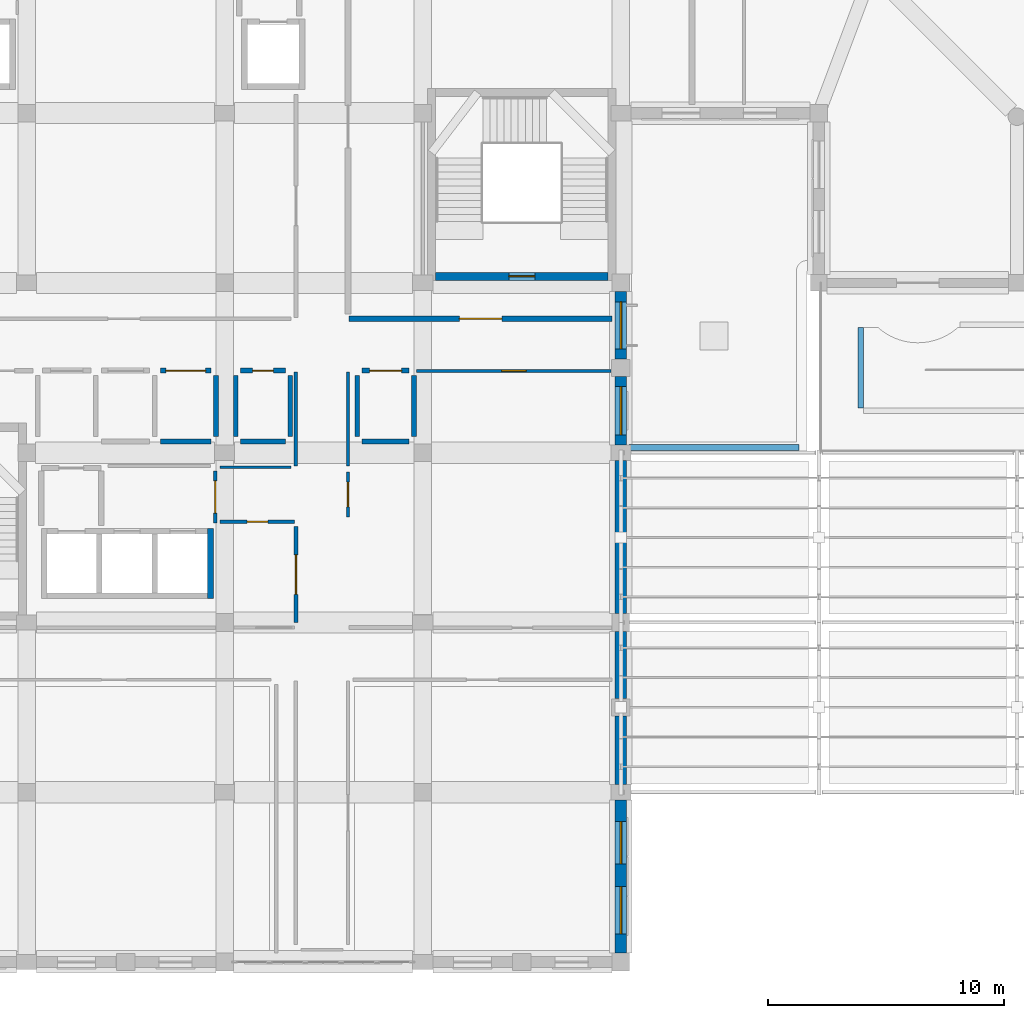
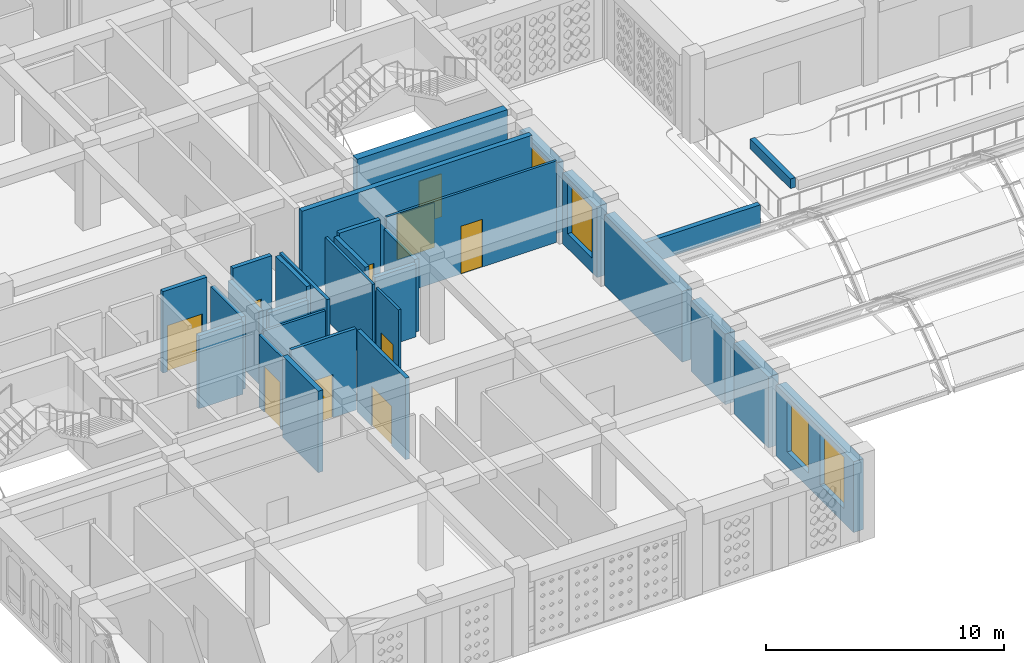
# One storey, part 54 of 100: 30 walls, 10 doors, 4 windows, 14 openings.
"""IFC4 building model written with IfcOpenShell, lengths in metres."""

from ifc_helpers import new_model, si_unit, derived_unit, direction, frame, frame_2d, origin, place, context, subcontext, project, spatial, rectangle, extrude, material, layer, layer_set, type_object, element, fill, save


model = new_model("IFC4")

# Units and contexts
model_context = context("Model", 3, precision=1e-05, world=origin(), true_north=direction((0.0, 1.0)))
body_context = subcontext(model_context, "Body", "Model", "MODEL_VIEW")
ifc_project = project(units=[si_unit("LENGTHUNIT", "METRE"), si_unit("AREAUNIT", "SQUARE_METRE"), si_unit("VOLUMEUNIT", "CUBIC_METRE"), si_unit("PLANEANGLEUNIT", "RADIAN"), si_unit("MASSUNIT", "GRAM", prefix="KILO"), derived_unit("THERMALTRANSMITTANCEUNIT", [(si_unit("POWERUNIT", "WATT"), 1), (si_unit("LENGTHUNIT", "METRE"), -2), (si_unit("THERMODYNAMICTEMPERATUREUNIT", "KELVIN"), -1)])], contexts=[model_context])

# Site, building, storey
site_placement = place(None, origin())
site = spatial("IfcSite", under=ifc_project, at=site_placement, CompositionType="ELEMENT")
building_placement = place(site_placement, origin())
building = spatial("IfcBuilding", under=site, at=building_placement, Name="Veybourne Emporium", CompositionType="ELEMENT")
storey_placement = place(building_placement, frame((0.0, 0.0, 14.39990234375)))
storey = spatial("IfcBuildingStorey", under=building, at=storey_placement, Name="L03", CompositionType="ELEMENT", Elevation=14.39990234375)

# Wall, openings, windows
ifc_material_1 = material(Name="Portland Limestone Ashlar", Category="masonry")
ifc_layer_1 = layer(ifc_material_1, 0.47998046875)
ifc_layer_set_1 = layer_set([ifc_layer_1], Name="Portland Limestone Ashlar")
wall_type_1 = type_object("IfcWallType", Name="ExtWall_EW-01", PredefinedType="SOLIDWALL", material=ifc_layer_set_1)
wall_1_placement = place(storey_placement, frame((50.39990234375, 6.875, 0.0), z_axis=(0.0, 0.0, 1.0), x_axis=(0.0, -1.0, 0.0)))
wall_1 = element("IfcWall", 1, at=wall_1_placement, inside=storey, type_object=wall_type_1, Name="L03 Portland stone external wall 026", PredefinedType="SOLIDWALL", context=body_context, shape_type="SweptSolid", body=[
    extrude(rectangle(XDim=6.5, YDim=0.47998046875, at=frame_2d((3.25, 0.0))), origin(), (0.0, 0.0, 1.0), 3.630126953125),
])
opening_1_placement = place(wall_1_placement, frame((0.919921875, 0.0, 0.75)))
opening_1 = element("IfcOpeningElement", 2, at=opening_1_placement, cuts=wall_1, Name="Opening W-36", PredefinedType="OPENING", context=body_context, shape_type="SweptSolid", body=[
    extrude(rectangle(XDim=1.800048828125, YDim=2.6201171875, at=frame_2d((0.89990234375, 1.31005859375))), frame((0.0, 0.260009765625, 0.0), z_axis=(0.0, -1.0, 0.0), x_axis=(1.0, 0.0, 0.0)), (0.0, 0.0, 1.0), 0.52001953125),
])
opening_2_placement = place(wall_1_placement, frame((3.679931640625, 0.0, 0.75)))
opening_2 = element("IfcOpeningElement", 3, at=opening_2_placement, cuts=wall_1, Name="Opening W-37", PredefinedType="OPENING", context=body_context, shape_type="SweptSolid", body=[
    extrude(rectangle(XDim=2.0, YDim=2.6201171875, at=frame_2d((1.0, 1.31005859375))), frame((0.0, 0.260009765625, 0.0), z_axis=(0.0, -1.0, 0.0), x_axis=(1.0, 0.0, 0.0)), (0.0, 0.0, 1.0), 0.52001953125),
])
ifc_material_2 = material(Name="Low-E Triple Glazing", Category="glass")
window_type_1 = type_object("IfcWindowType", Name="Win_W-36", PartitioningType="DOUBLE_PANEL_VERTICAL", PredefinedType="WINDOW", material=ifc_material_2)
window_1_placement = place(opening_1_placement, origin())
window_1 = element("IfcWindow", 4, at=window_1_placement, inside=storey, type_object=window_type_1, Name="L03 tripartite bronze casement window W-36 (26.1)", OverallHeight=2.6201171875, OverallWidth=1.800048828125, PartitioningType="DOUBLE_PANEL_VERTICAL", PredefinedType="WINDOW", context=body_context, shape_type="SweptSolid", body=[
    extrude(rectangle(XDim=1.800048828125, YDim=2.6201171875, at=frame_2d((0.89990234375, 1.31005859375))), frame((0.0, 0.030029296875, 0.0), z_axis=(0.0, -1.0, 0.0), x_axis=(1.0, 0.0, 0.0)), (0.0, 0.0, 1.0), 0.06005859375),
])
fill(opening_1, window_1)
window_type_2 = type_object("IfcWindowType", Name="Win_W-37", PartitioningType="TRIPLE_PANEL_VERTICAL", PredefinedType="WINDOW", material=ifc_material_2)
window_2_placement = place(opening_2_placement, origin())
window_2 = element("IfcWindow", 5, at=window_2_placement, inside=storey, type_object=window_type_2, Name="L03 tripartite bronze casement window W-37 (26.2)", OverallHeight=2.6201171875, OverallWidth=2.0, PartitioningType="TRIPLE_PANEL_VERTICAL", PredefinedType="WINDOW", context=body_context, shape_type="SweptSolid", body=[
    extrude(rectangle(XDim=2.0, YDim=2.6201171875, at=frame_2d((1.0, 1.31005859375))), frame((0.0, 0.030029296875, 0.0), z_axis=(0.0, -1.0, 0.0), x_axis=(1.0, 0.0, 0.0)), (0.0, 0.0, 1.0), 0.06005859375),
])
fill(opening_2, window_2)

# Walls
wall_2_placement = place(storey_placement, frame((50.39990234375, 14.02490234375, 0.0), z_axis=(0.0, 0.0, 1.0), x_axis=(0.0, -1.0, 0.0)))
element("IfcWall", 6, at=wall_2_placement, inside=storey, type_object=wall_type_1, Name="L03 Portland stone external wall 027A", PredefinedType="SOLIDWALL", context=body_context, shape_type="SweptSolid", body=[
    extrude(rectangle(XDim=2.85498046875, YDim=0.47998046875, at=frame_2d((1.427490234375, 0.0))), origin(), (0.0, 0.0, 1.0), 3.630126953125),
])
wall_3_placement = place(storey_placement, frame((50.39990234375, 10.429931640625, 0.0), z_axis=(0.0, 0.0, 1.0), x_axis=(0.0, -1.0, 0.0)))
element("IfcWall", 7, at=wall_3_placement, inside=storey, type_object=wall_type_1, Name="L03 Portland stone external wall 027B", PredefinedType="SOLIDWALL", context=body_context, shape_type="SweptSolid", body=[
    extrude(rectangle(XDim=2.905029296875, YDim=0.47998046875, at=frame_2d((1.45263671875, 0.0))), origin(), (0.0, 0.0, 1.0), 3.630126953125),
])
wall_4_placement = place(storey_placement, frame((50.39990234375, 21.27490234375, 0.0), z_axis=(0.0, 0.0, 1.0), x_axis=(0.0, -1.0, 0.0)))
element("IfcWall", 8, at=wall_4_placement, inside=storey, type_object=wall_type_1, Name="L03 Portland stone external wall 028", PredefinedType="SOLIDWALL", context=body_context, shape_type="SweptSolid", body=[
    extrude(rectangle(XDim=6.5, YDim=0.47998046875, at=frame_2d((3.25, 0.0))), origin(), (0.0, 0.0, 1.0), 3.630126953125),
])

# Wall, opening, window
wall_5_placement = place(storey_placement, frame((50.39990234375, 28.425048828125, 0.0), z_axis=(0.0, 0.0, 1.0), x_axis=(0.0, -1.0, 0.0)))
wall_5 = element("IfcWall", 9, at=wall_5_placement, inside=storey, type_object=wall_type_1, Name="L03 Portland stone external wall 029A", PredefinedType="SOLIDWALL", context=body_context, shape_type="SweptSolid", body=[
    extrude(rectangle(XDim=2.85498046875, YDim=0.47998046875, at=frame_2d((1.427490234375, 0.0))), origin(), (0.0, 0.0, 1.0), 3.630126953125),
])
opening_3_placement = place(wall_5_placement, frame((0.427490234375, 0.0, 0.75)))
opening_3 = element("IfcOpeningElement", 10, at=opening_3_placement, cuts=wall_5, Name="Opening W-38", PredefinedType="OPENING", context=body_context, shape_type="SweptSolid", body=[
    extrude(rectangle(XDim=2.0, YDim=2.6201171875, at=frame_2d((1.0, 1.31005859375))), frame((0.0, 0.260009765625, 0.0), z_axis=(0.0, -1.0, 0.0), x_axis=(1.0, 0.0, 0.0)), (0.0, 0.0, 1.0), 0.52001953125),
])
window_type_3 = type_object("IfcWindowType", Name="Win_W-38", PartitioningType="TRIPLE_PANEL_VERTICAL", PredefinedType="WINDOW", material=ifc_material_2)
window_3_placement = place(opening_3_placement, origin())
window_3 = element("IfcWindow", 11, at=window_3_placement, inside=storey, type_object=window_type_3, Name="L03 tripartite bronze casement window W-38 (29A)", OverallHeight=2.6201171875, OverallWidth=2.0, PartitioningType="TRIPLE_PANEL_VERTICAL", PredefinedType="WINDOW", context=body_context, shape_type="SweptSolid", body=[
    extrude(rectangle(XDim=2.0, YDim=2.6201171875, at=frame_2d((1.0, 1.31005859375))), frame((0.0, 0.030029296875, 0.0), z_axis=(0.0, -1.0, 0.0), x_axis=(1.0, 0.0, 0.0)), (0.0, 0.0, 1.0), 0.06005859375),
])
fill(opening_3, window_3)

wall_6_placement = place(storey_placement, frame((50.39990234375, 24.830078125, 0.0), z_axis=(0.0, 0.0, 1.0), x_axis=(0.0, -1.0, 0.0)))
wall_6 = element("IfcWall", 12, at=wall_6_placement, inside=storey, type_object=wall_type_1, Name="L03 Portland stone external wall 029B", PredefinedType="SOLIDWALL", context=body_context, shape_type="SweptSolid", body=[
    extrude(rectangle(XDim=2.905029296875, YDim=0.47998046875, at=frame_2d((1.45263671875, 0.0))), origin(), (0.0, 0.0, 1.0), 3.630126953125),
])
opening_4_placement = place(wall_6_placement, frame((0.427490234375, 0.0, 0.75)))
opening_4 = element("IfcOpeningElement", 13, at=opening_4_placement, cuts=wall_6, Name="Opening W-39", PredefinedType="OPENING", context=body_context, shape_type="SweptSolid", body=[
    extrude(rectangle(XDim=2.050048828125, YDim=2.6201171875, at=frame_2d((1.02490234375, 1.31005859375))), frame((0.0, 0.260009765625, 0.0), z_axis=(0.0, -1.0, 0.0), x_axis=(1.0, 0.0, 0.0)), (0.0, 0.0, 1.0), 0.52001953125),
])
window_type_4 = type_object("IfcWindowType", Name="Win_W-39", PartitioningType="TRIPLE_PANEL_VERTICAL", PredefinedType="WINDOW", material=ifc_material_2)
window_4_placement = place(opening_4_placement, origin())
window_4 = element("IfcWindow", 14, at=window_4_placement, inside=storey, type_object=window_type_4, Name="L03 tripartite bronze casement window W-39 (29B)", OverallHeight=2.6201171875, OverallWidth=2.050048828125, PartitioningType="TRIPLE_PANEL_VERTICAL", PredefinedType="WINDOW", context=body_context, shape_type="SweptSolid", body=[
    extrude(rectangle(XDim=2.050048828125, YDim=2.6201171875, at=frame_2d((1.02490234375, 1.31005859375))), frame((0.0, 0.030029296875, 0.0), z_axis=(0.0, -1.0, 0.0), x_axis=(1.0, 0.0, 0.0)), (0.0, 0.0, 1.0), 0.06005859375),
])
fill(opening_4, window_4)

# Walls
ifc_material_3 = material(Name="Precast concrete C40/50", Category="concrete")
ifc_layer_2 = layer(ifc_material_3, 0.239990234375)
ifc_layer_set_2 = layer_set([ifc_layer_2], Name="Precast concrete C40/50")
wall_type_2 = type_object("IfcWallType", Name="ExtWall_PW-02", PredefinedType="PARAPET", material=ifc_layer_set_2)
wall_7_placement = place(storey_placement, frame((60.570068359375, 23.5, 0.0), z_axis=(0.0, 0.0, 1.0), x_axis=(0.0, 1.0, 0.0)))
element("IfcWall", 15, at=wall_7_placement, inside=storey, type_object=wall_type_2, Name="L03 planted roof-garden kerb 005", PredefinedType="PARAPET", context=body_context, shape_type="SweptSolid", body=[
    extrude(rectangle(XDim=3.39990234375, YDim=0.239990234375, at=frame_2d((1.699951171875, 0.0))), origin(), (0.0, 0.0, 1.0), 0.5),
])
wall_8_placement = place(storey_placement, frame((57.949951171875, 21.820068359375, 0.0), z_axis=(0.0, 0.0, 1.0), x_axis=(-1.0, 0.0, 0.0)))
element("IfcWall", 16, at=wall_8_placement, inside=storey, type_object=wall_type_2, Name="L03 roof parapet wall 001", PredefinedType="PARAPET", context=body_context, shape_type="SweptSolid", body=[
    extrude(rectangle(XDim=7.199951171875, YDim=0.239990234375, at=frame_2d((3.60009765625, 0.0))), origin(), (0.0, 0.0, 1.0), 1.150146484375),
])

# Wall, opening, door
ifc_material_4 = material(Name="Concrete C40/50", Category="concrete")
ifc_layer_3 = layer(ifc_material_4, 0.35009765625)
ifc_layer_set_3 = layer_set([ifc_layer_3], Name="Concrete C40/50")
wall_type_3 = type_object("IfcWallType", Name="IntWall_CW-02", PredefinedType="SHEAR", material=ifc_layer_set_3)
wall_9_placement = place(storey_placement, frame((49.85009765625, 29.074951171875, 0.0), z_axis=(0.0, 0.0, 1.0), x_axis=(-1.0, 0.0, 0.0)))
wall_9 = element("IfcWall", 17, at=wall_9_placement, inside=storey, type_object=wall_type_3, Name="Core stair ST-05 south shear wall (L03)", PredefinedType="SHEAR", context=body_context, shape_type="SweptSolid", body=[
    extrude(rectangle(XDim=7.300048828125, YDim=0.35009765625, at=frame_2d((3.64990234375, 0.0))), origin(), (0.0, 0.0, 1.0), 4.5),
])
opening_5_placement = place(wall_9_placement, frame((3.10009765625, 0.0, 0.0)))
opening_5 = element("IfcOpeningElement", 18, at=opening_5_placement, cuts=wall_9, Name="Opening FD-01", PredefinedType="OPENING", context=body_context, shape_type="SweptSolid", body=[
    extrude(rectangle(XDim=1.10009765625, YDim=2.199951171875, at=frame_2d((0.550048828125, 1.10009765625))), frame((0.0, 0.195068359375, 0.0), z_axis=(0.0, -1.0, 0.0), x_axis=(1.0, 0.0, 0.0)), (0.0, 0.0, 1.0), 0.39013671875),
])
ifc_material_5 = material(Name="Patinated Architectural Bronze", Category="bronze")
door_type_1 = type_object("IfcDoorType", Name="FireDoor_FD-01", OperationType="NOTDEFINED", PredefinedType="DOOR", material=ifc_material_5)
door_1_placement = place(opening_5_placement, origin())
door_1 = element("IfcDoor", 19, at=door_1_placement, inside=storey, type_object=door_type_1, Name="Stair ST-05 fire door (L03)", OperationType="SINGLE_SWING_LEFT", OverallHeight=2.199951171875, OverallWidth=1.10009765625, PredefinedType="DOOR", context=body_context, shape_type="SweptSolid", body=[
    extrude(rectangle(XDim=1.10009765625, YDim=2.199951171875, at=frame_2d((0.550048828125, 1.10009765625))), frame((0.0, 0.02490234375, 0.0), z_axis=(0.0, -1.0, 0.0), x_axis=(1.0, 0.0, 0.0)), (0.0, 0.0, 1.0), 0.050048828125),
])
fill(opening_5, door_1)

# Wall
ifc_layer_4 = layer(ifc_material_4, 0.239990234375)
ifc_layer_set_4 = layer_set([ifc_layer_4], Name="Concrete C40/50")
wall_type_4 = type_object("IfcWallType", Name="IntWall_CW-04", PredefinedType="SHEAR", material=ifc_layer_set_4)
wall_10_placement = place(storey_placement, frame((33.0, 15.409912109375, 0.0), z_axis=(0.0, 0.0, 1.0), x_axis=(0.0, 1.0, 0.0)))
element("IfcWall", 20, at=wall_10_placement, inside=storey, type_object=wall_type_4, Name="Lift core C1 east shaft wall (L03)", PredefinedType="SHEAR", context=body_context, shape_type="SweptSolid", body=[
    extrude(rectangle(XDim=2.97998046875, YDim=0.239990234375, at=frame_2d((1.489990234375, 0.0))), origin(), (0.0, 0.0, 1.0), 4.18017578125),
])

# Wall, opening, door
ifc_material_6 = material(Name="Concrete C32/40", Category="concrete")
ifc_layer_5 = layer(ifc_material_6, 0.25)
ifc_layer_set_5 = layer_set([ifc_layer_5], Name="Concrete C32/40")
wall_type_5 = type_object("IfcWallType", Name="IntWall_FW-01", PredefinedType="SOLIDWALL", material=ifc_layer_set_5)
wall_11_placement = place(storey_placement, frame((38.8798828125, 27.280029296875, 0.0), z_axis=(0.0, 0.0, 1.0), x_axis=(1.0, 0.0, 0.0)))
wall_11 = element("IfcWall", 21, at=wall_11_placement, inside=storey, type_object=wall_type_5, Name="L03 interior partition FW-01 #046", PredefinedType="SOLIDWALL", context=body_context, shape_type="SweptSolid", body=[
    extrude(rectangle(XDim=11.150146484375, YDim=0.25, at=frame_2d((5.5751953125, 0.0))), origin(), (0.0, 0.0, 1.0), 4.18017578125),
])
opening_6_placement = place(wall_11_placement, frame((4.675048828125, 0.0, 0.0)))
opening_6 = element("IfcOpeningElement", 22, at=opening_6_placement, cuts=wall_11, Name="Opening FD-03", PredefinedType="OPENING", context=body_context, shape_type="SweptSolid", body=[
    extrude(rectangle(XDim=1.800048828125, YDim=2.300048828125, at=frame_2d((0.89990234375, 1.14990234375))), frame((0.0, 0.14501953125, 0.0), z_axis=(0.0, -1.0, 0.0), x_axis=(1.0, 0.0, 0.0)), (0.0, 0.0, 1.0), 0.2900390625),
])
door_type_2 = type_object("IfcDoorType", Name="FireDoor_FD-03", OperationType="DOUBLE_DOOR_SINGLE_SWING", PredefinedType="DOOR", material=ifc_material_5)
door_2_placement = place(opening_6_placement, origin())
door_2 = element("IfcDoor", 23, at=door_2_placement, inside=storey, type_object=door_type_2, Name="L03 interior door FD-03 (PART-L03-046)", OperationType="DOUBLE_DOOR_SINGLE_SWING", OverallHeight=2.300048828125, OverallWidth=1.800048828125, PredefinedType="DOOR", context=body_context, shape_type="SweptSolid", body=[
    extrude(rectangle(XDim=1.800048828125, YDim=2.300048828125, at=frame_2d((0.89990234375, 1.14990234375))), frame((0.0, 0.02490234375, 0.0), z_axis=(0.0, -1.0, 0.0), x_axis=(1.0, 0.0, 0.0)), (0.0, 0.0, 1.0), 0.050048828125),
])
fill(opening_6, door_2)

ifc_material_7 = material(Name="Gypsum Acoustic Board", Category="gypsum")
ifc_layer_6 = layer(ifc_material_7, 0.179931640625)
ifc_layer_set_6 = layer_set([ifc_layer_6], Name="Gypsum Acoustic Board")
wall_type_6 = type_object("IfcWallType", Name="IntWall_IW-01", PredefinedType="PARTITIONING", material=ifc_layer_set_6)
wall_12_placement = place(storey_placement, frame((36.6201171875, 14.389892578125, 0.0), z_axis=(0.0, 0.0, 1.0), x_axis=(0.0, 1.0, 0.0)))
wall_12 = element("IfcWall", 24, at=wall_12_placement, inside=storey, type_object=wall_type_6, Name="L03 interior partition IW-01 #068", PredefinedType="PARTITIONING", context=body_context, shape_type="SweptSolid", body=[
    extrude(rectangle(XDim=4.070068359375, YDim=0.179931640625, at=frame_2d((2.03515625, 0.0))), origin(), (0.0, 0.0, 1.0), 4.18017578125),
])
opening_7_placement = place(wall_12_placement, frame((1.195068359375, 0.0, 0.0)))
opening_7 = element("IfcOpeningElement", 25, at=opening_7_placement, cuts=wall_12, Name="Opening D-06", PredefinedType="OPENING", context=body_context, shape_type="SweptSolid", body=[
    extrude(rectangle(XDim=1.679931640625, YDim=2.050048828125, at=frame_2d((0.83984375, 1.02490234375))), frame((0.0, 0.10986328125, 0.0), z_axis=(0.0, -1.0, 0.0), x_axis=(1.0, 0.0, 0.0)), (0.0, 0.0, 1.0), 0.219970703125),
])
ifc_material_8 = material(Name="European Oak Veneer and Bronze", Category="wood")
door_type_3 = type_object("IfcDoorType", Name="IntDoor_D-06", OperationType="DOUBLE_DOOR_SINGLE_SWING", PredefinedType="DOOR", material=ifc_material_8)
door_3_placement = place(opening_7_placement, origin())
door_3 = element("IfcDoor", 26, at=door_3_placement, inside=storey, type_object=door_type_3, Name="L03 interior door D-06 (PART-L03-068)", OperationType="DOUBLE_DOOR_SINGLE_SWING", OverallHeight=2.050048828125, OverallWidth=1.679931640625, PredefinedType="DOOR", context=body_context, shape_type="SweptSolid", body=[
    extrude(rectangle(XDim=1.679931640625, YDim=2.050048828125, at=frame_2d((0.83984375, 1.02490234375))), frame((0.0, 0.02490234375, 0.0), z_axis=(0.0, -1.0, 0.0), x_axis=(1.0, 0.0, 0.0)), (0.0, 0.0, 1.0), 0.050048828125),
])
fill(opening_7, door_3)

# Wall
ifc_layer_7 = layer(ifc_material_7, 0.14990234375)
ifc_layer_set_7 = layer_set([ifc_layer_7], Name="Gypsum Acoustic Board")
wall_type_7 = type_object("IfcWallType", Name="IntWall_IW-02", PredefinedType="PARTITIONING", material=ifc_layer_set_7)
wall_13_placement = place(storey_placement, frame((36.6201171875, 21.030029296875, 0.0), z_axis=(0.0, 0.0, 1.0), x_axis=(0.0, 1.0, 0.0)))
element("IfcWall", 27, at=wall_13_placement, inside=storey, type_object=wall_type_7, Name="L03 interior partition IW-02 #069", PredefinedType="PARTITIONING", context=body_context, shape_type="SweptSolid", body=[
    extrude(rectangle(XDim=3.989990234375, YDim=0.14990234375, at=frame_2d((1.9951171875, 0.0))), origin(), (0.0, 0.0, 1.0), 4.18017578125),
])

# Wall, opening, door
wall_14_placement = place(storey_placement, frame((33.409912109375, 18.669921875, 0.0), z_axis=(0.0, 0.0, 1.0), x_axis=(1.0, 0.0, 0.0)))
wall_14 = element("IfcWall", 28, at=wall_14_placement, inside=storey, type_object=wall_type_7, Name="L03 interior partition IW-02 #075", PredefinedType="PARTITIONING", context=body_context, shape_type="SweptSolid", body=[
    extrude(rectangle(XDim=3.16015625, YDim=0.14990234375, at=frame_2d((1.580078125, 0.0))), origin(), (0.0, 0.0, 1.0), 4.18017578125),
])
opening_8_placement = place(wall_14_placement, frame((1.139892578125, 0.0, 0.0)))
opening_8 = element("IfcOpeningElement", 29, at=opening_8_placement, cuts=wall_14, Name="Opening D-13", PredefinedType="OPENING", context=body_context, shape_type="SweptSolid", body=[
    extrude(rectangle(XDim=0.8798828125, YDim=2.2099609375, at=frame_2d((0.43994140625, 1.10498046875))), frame((0.0, 0.094970703125, 0.0), z_axis=(0.0, -1.0, 0.0), x_axis=(1.0, 0.0, 0.0)), (0.0, 0.0, 1.0), 0.18994140625),
])
door_type_4 = type_object("IfcDoorType", Name="IntDoor_D-13", OperationType="NOTDEFINED", PredefinedType="DOOR", material=ifc_material_8)
door_4_placement = place(opening_8_placement, origin())
door_4 = element("IfcDoor", 30, at=door_4_placement, inside=storey, type_object=door_type_4, Name="L03 interior door D-13 (PART-L03-075)", OperationType="SINGLE_SWING_RIGHT", OverallHeight=2.2099609375, OverallWidth=0.8798828125, PredefinedType="DOOR", context=body_context, shape_type="SweptSolid", body=[
    extrude(rectangle(XDim=0.8798828125, YDim=2.2099609375, at=frame_2d((0.43994140625, 1.10498046875))), frame((0.0, 0.02490234375, 0.0), z_axis=(0.0, -1.0, 0.0), x_axis=(1.0, 0.0, 0.0)), (0.0, 0.0, 1.0), 0.050048828125),
])
fill(opening_8, door_4)

wall_15_placement = place(storey_placement, frame((33.199951171875, 18.6201171875, 0.0), z_axis=(0.0, 0.0, 1.0), x_axis=(0.0, 1.0, 0.0)))
wall_15 = element("IfcWall", 31, at=wall_15_placement, inside=storey, type_object=wall_type_7, Name="L03 interior partition IW-02 #090", PredefinedType="PARTITIONING", context=body_context, shape_type="SweptSolid", body=[
    extrude(rectangle(XDim=2.199951171875, YDim=0.14990234375, at=frame_2d((1.10009765625, 0.0))), origin(), (0.0, 0.0, 1.0), 3.72998046875),
])
opening_9_placement = place(wall_15_placement, frame((0.419921875, 0.0, 0.0)))
opening_9 = element("IfcOpeningElement", 32, at=opening_9_placement, cuts=wall_15, Name="Opening D-28", PredefinedType="OPENING", context=body_context, shape_type="SweptSolid", body=[
    extrude(rectangle(XDim=1.360107421875, YDim=2.3701171875, at=frame_2d((0.68017578125, 1.18505859375))), frame((0.0, 0.094970703125, 0.0), z_axis=(0.0, -1.0, 0.0), x_axis=(1.0, 0.0, 0.0)), (0.0, 0.0, 1.0), 0.18994140625),
])
door_type_5 = type_object("IfcDoorType", Name="IntDoor_D-28", OperationType="NOTDEFINED", PredefinedType="DOOR", material=ifc_material_8)
door_5_placement = place(opening_9_placement, origin())
door_5 = element("IfcDoor", 33, at=door_5_placement, inside=storey, type_object=door_type_5, Name="L03 interior door D-28 (PART-L03-090)", OperationType="SINGLE_SWING_LEFT", OverallHeight=2.3701171875, OverallWidth=1.360107421875, PredefinedType="DOOR", context=body_context, shape_type="SweptSolid", body=[
    extrude(rectangle(XDim=1.360107421875, YDim=2.3701171875, at=frame_2d((0.68017578125, 1.18505859375))), frame((0.0, 0.02490234375, 0.0), z_axis=(0.0, -1.0, 0.0), x_axis=(1.0, 0.0, 0.0)), (0.0, 0.0, 1.0), 0.050048828125),
])
fill(opening_9, door_5)

ifc_layer_8 = layer(ifc_material_7, 0.1201171875)
ifc_layer_set_8 = layer_set([ifc_layer_8], Name="Gypsum Acoustic Board")
wall_type_8 = type_object("IfcWallType", Name="IntWall_IW-03", PredefinedType="PARTITIONING", material=ifc_layer_set_8)
wall_16_placement = place(storey_placement, frame((41.735107421875, 25.070068359375, 0.0), z_axis=(0.0, 0.0, 1.0), x_axis=(1.0, 0.0, 0.0)))
wall_16 = element("IfcWall", 34, at=wall_16_placement, inside=storey, type_object=wall_type_8, Name="L03 interior partition IW-03 #058", PredefinedType="PARTITIONING", context=body_context, shape_type="SweptSolid", body=[
    extrude(rectangle(XDim=8.2548828125, YDim=0.1201171875, at=frame_2d((4.12744140625, 0.0))), origin(), (0.0, 0.0, 1.0), 4.18017578125),
])
opening_10_placement = place(wall_16_placement, frame((3.607421875, 0.0, 0.0)))
opening_10 = element("IfcOpeningElement", 35, at=opening_10_placement, cuts=wall_16, Name="Opening D-32", PredefinedType="OPENING", context=body_context, shape_type="SweptSolid", body=[
    extrude(rectangle(XDim=1.0400390625, YDim=2.449951171875, at=frame_2d((0.52001953125, 1.22509765625))), frame((0.0, 0.080078125, 0.0), z_axis=(0.0, -1.0, 0.0), x_axis=(1.0, 0.0, 0.0)), (0.0, 0.0, 1.0), 0.16015625),
])
door_type_6 = type_object("IfcDoorType", Name="IntDoor_D-32", OperationType="NOTDEFINED", PredefinedType="DOOR", material=ifc_material_8)
door_6_placement = place(opening_10_placement, origin())
door_6 = element("IfcDoor", 36, at=door_6_placement, inside=storey, type_object=door_type_6, Name="L03 interior door D-32 (PART-L03-058)", OperationType="SINGLE_SWING_LEFT", OverallHeight=2.449951171875, OverallWidth=1.0400390625, PredefinedType="DOOR", context=body_context, shape_type="SweptSolid", body=[
    extrude(rectangle(XDim=1.0400390625, YDim=2.449951171875, at=frame_2d((0.52001953125, 1.22509765625))), frame((0.0, 0.02490234375, 0.0), z_axis=(0.0, -1.0, 0.0), x_axis=(1.0, 0.0, 0.0)), (0.0, 0.0, 1.0), 0.050048828125),
])
fill(opening_10, door_6)

# Walls
wall_17_placement = place(storey_placement, frame((38.830078125, 21.030029296875, 0.0), z_axis=(0.0, 0.0, 1.0), x_axis=(0.0, 1.0, 0.0)))
element("IfcWall", 37, at=wall_17_placement, inside=storey, type_object=wall_type_8, Name="L03 interior partition IW-03 #070", PredefinedType="PARTITIONING", context=body_context, shape_type="SweptSolid", body=[
    extrude(rectangle(XDim=3.989990234375, YDim=0.1201171875, at=frame_2d((1.9951171875, 0.0))), origin(), (0.0, 0.0, 1.0), 4.18017578125),
])
wall_18_placement = place(storey_placement, frame((33.409912109375, 20.97998046875, 0.0), z_axis=(0.0, 0.0, 1.0), x_axis=(1.0, 0.0, 0.0)))
element("IfcWall", 38, at=wall_18_placement, inside=storey, type_object=wall_type_8, Name="L03 interior partition IW-03 #076", PredefinedType="PARTITIONING", context=body_context, shape_type="SweptSolid", body=[
    extrude(rectangle(XDim=3.0, YDim=0.1201171875, at=frame_2d((1.5, 0.0))), origin(), (0.0, 0.0, 1.0), 3.72998046875),
])

# Wall, opening, door
wall_19_placement = place(storey_placement, frame((38.830078125, 18.8798828125, 0.0), z_axis=(0.0, 0.0, 1.0), x_axis=(0.0, 1.0, 0.0)))
wall_19 = element("IfcWall", 39, at=wall_19_placement, inside=storey, type_object=wall_type_8, Name="L03 interior partition IW-03 #106", PredefinedType="PARTITIONING", context=body_context, shape_type="SweptSolid", body=[
    extrude(rectangle(XDim=1.89013671875, YDim=0.1201171875, at=frame_2d((0.945068359375, 0.0))), origin(), (0.0, 0.0, 1.0), 4.18017578125),
])
opening_11_placement = place(wall_19_placement, frame((0.425048828125, 0.0, 0.0)))
opening_11 = element("IfcOpeningElement", 40, at=opening_11_placement, cuts=wall_19, Name="Opening D-08", PredefinedType="OPENING", context=body_context, shape_type="SweptSolid", body=[
    extrude(rectangle(XDim=1.0400390625, YDim=2.1298828125, at=frame_2d((0.52001953125, 1.06494140625))), frame((0.0, 0.080078125, 0.0), z_axis=(0.0, -1.0, 0.0), x_axis=(1.0, 0.0, 0.0)), (0.0, 0.0, 1.0), 0.16015625),
])
door_type_7 = type_object("IfcDoorType", Name="IntDoor_D-08", OperationType="NOTDEFINED", PredefinedType="DOOR", material=ifc_material_8)
door_7_placement = place(opening_11_placement, origin())
door_7 = element("IfcDoor", 41, at=door_7_placement, inside=storey, type_object=door_type_7, Name="L03 interior door D-08 (PART-L03-106)", OperationType="SINGLE_SWING_LEFT", OverallHeight=2.1298828125, OverallWidth=1.0400390625, PredefinedType="DOOR", context=body_context, shape_type="SweptSolid", body=[
    extrude(rectangle(XDim=1.0400390625, YDim=2.1298828125, at=frame_2d((0.52001953125, 1.06494140625))), frame((0.0, 0.02490234375, 0.0), z_axis=(0.0, -1.0, 0.0), x_axis=(1.0, 0.0, 0.0)), (0.0, 0.0, 1.0), 0.050048828125),
])
fill(opening_11, door_7)

ifc_layer_9 = layer(ifc_material_7, 0.199951171875)
ifc_layer_set_9 = layer_set([ifc_layer_9], Name="Gypsum Acoustic Board")
wall_type_9 = type_object("IfcWallType", Name="IntWall_IW-04", PredefinedType="PLUMBINGWALL", material=ifc_layer_set_9)
wall_20_placement = place(storey_placement, frame((30.8798828125, 25.080078125, 0.0), z_axis=(0.0, 0.0, 1.0), x_axis=(1.0, 0.0, 0.0)))
wall_20 = element("IfcWall", 42, at=wall_20_placement, inside=storey, type_object=wall_type_9, Name="L03 interior partition IW-04 #092", PredefinedType="PLUMBINGWALL", context=body_context, shape_type="SweptSolid", body=[
    extrude(rectangle(XDim=2.14013671875, YDim=0.199951171875, at=frame_2d((1.070068359375, 0.0))), origin(), (0.0, 0.0, 1.0), 4.18017578125),
])
opening_12_placement = place(wall_20_placement, frame((0.22998046875, 0.0, 0.0)))
opening_12 = element("IfcOpeningElement", 43, at=opening_12_placement, cuts=wall_20, Name="Opening D-30", PredefinedType="OPENING", context=body_context, shape_type="SweptSolid", body=[
    extrude(rectangle(XDim=1.679931640625, YDim=2.3701171875, at=frame_2d((0.83984375, 1.18505859375))), frame((0.0, 0.1201171875, 0.0), z_axis=(0.0, -1.0, 0.0), x_axis=(1.0, 0.0, 0.0)), (0.0, 0.0, 1.0), 0.239990234375),
])
door_type_8 = type_object("IfcDoorType", Name="IntDoor_D-30", OperationType="DOUBLE_DOOR_SINGLE_SWING", PredefinedType="DOOR", material=ifc_material_8)
door_8_placement = place(opening_12_placement, origin())
door_8 = element("IfcDoor", 44, at=door_8_placement, inside=storey, type_object=door_type_8, Name="L03 interior door D-30 (PART-L03-092)", OperationType="DOUBLE_DOOR_SINGLE_SWING", OverallHeight=2.3701171875, OverallWidth=1.679931640625, PredefinedType="DOOR", context=body_context, shape_type="SweptSolid", body=[
    extrude(rectangle(XDim=1.679931640625, YDim=2.3701171875, at=frame_2d((0.83984375, 1.18505859375))), frame((0.0, 0.02490234375, 0.0), z_axis=(0.0, -1.0, 0.0), x_axis=(1.0, 0.0, 0.0)), (0.0, 0.0, 1.0), 0.050048828125),
])
fill(opening_12, door_8)

wall_21_placement = place(storey_placement, frame((39.429931640625, 25.080078125, 0.0), z_axis=(0.0, 0.0, 1.0), x_axis=(1.0, 0.0, 0.0)))
wall_21 = element("IfcWall", 45, at=wall_21_placement, inside=storey, type_object=wall_type_9, Name="L03 interior partition IW-04 #102", PredefinedType="PLUMBINGWALL", context=body_context, shape_type="SweptSolid", body=[
    extrude(rectangle(XDim=1.989990234375, YDim=0.199951171875, at=frame_2d((0.9951171875, 0.0))), origin(), (0.0, 0.0, 1.0), 4.18017578125),
])
opening_13_placement = place(wall_21_placement, frame((0.31494140625, 0.0, 0.0)))
opening_13 = element("IfcOpeningElement", 46, at=opening_13_placement, cuts=wall_21, Name="Opening D-04", PredefinedType="OPENING", context=body_context, shape_type="SweptSolid", body=[
    extrude(rectangle(XDim=1.360107421875, YDim=2.050048828125, at=frame_2d((0.68017578125, 1.02490234375))), frame((0.0, 0.1201171875, 0.0), z_axis=(0.0, -1.0, 0.0), x_axis=(1.0, 0.0, 0.0)), (0.0, 0.0, 1.0), 0.239990234375),
])
door_type_9 = type_object("IfcDoorType", Name="IntDoor_D-04", OperationType="NOTDEFINED", PredefinedType="DOOR", material=ifc_material_8)
door_9_placement = place(opening_13_placement, origin())
door_9 = element("IfcDoor", 47, at=door_9_placement, inside=storey, type_object=door_type_9, Name="L03 interior door D-04 (PART-L03-102)", OperationType="SINGLE_SWING_LEFT", OverallHeight=2.050048828125, OverallWidth=1.360107421875, PredefinedType="DOOR", context=body_context, shape_type="SweptSolid", body=[
    extrude(rectangle(XDim=1.360107421875, YDim=2.050048828125, at=frame_2d((0.68017578125, 1.02490234375))), frame((0.0, 0.02490234375, 0.0), z_axis=(0.0, -1.0, 0.0), x_axis=(1.0, 0.0, 0.0)), (0.0, 0.0, 1.0), 0.050048828125),
])
fill(opening_13, door_9)

wall_22_placement = place(storey_placement, frame((34.280029296875, 25.080078125, 0.0), z_axis=(0.0, 0.0, 1.0), x_axis=(1.0, 0.0, 0.0)))
wall_22 = element("IfcWall", 48, at=wall_22_placement, inside=storey, type_object=wall_type_9, Name="L03 interior partition IW-04 #105", PredefinedType="PLUMBINGWALL", context=body_context, shape_type="SweptSolid", body=[
    extrude(rectangle(XDim=1.889892578125, YDim=0.199951171875, at=frame_2d((0.94482421875, 0.0))), origin(), (0.0, 0.0, 1.0), 4.18017578125),
])
opening_14_placement = place(wall_22_placement, frame((0.5048828125, 0.0, 0.0)))
opening_14 = element("IfcOpeningElement", 49, at=opening_14_placement, cuts=wall_22, Name="Opening D-07", PredefinedType="OPENING", context=body_context, shape_type="SweptSolid", body=[
    extrude(rectangle(XDim=0.8798828125, YDim=2.1298828125, at=frame_2d((0.43994140625, 1.06494140625))), frame((0.0, 0.1201171875, 0.0), z_axis=(0.0, -1.0, 0.0), x_axis=(1.0, 0.0, 0.0)), (0.0, 0.0, 1.0), 0.239990234375),
])
door_type_10 = type_object("IfcDoorType", Name="IntDoor_D-07", OperationType="NOTDEFINED", PredefinedType="DOOR", material=ifc_material_8)
door_10_placement = place(opening_14_placement, origin())
door_10 = element("IfcDoor", 50, at=door_10_placement, inside=storey, type_object=door_type_10, Name="L03 interior door D-07 (PART-L03-105)", OperationType="SINGLE_SWING_RIGHT", OverallHeight=2.1298828125, OverallWidth=0.8798828125, PredefinedType="DOOR", context=body_context, shape_type="SweptSolid", body=[
    extrude(rectangle(XDim=0.8798828125, YDim=2.1298828125, at=frame_2d((0.43994140625, 1.06494140625))), frame((0.0, 0.02490234375, 0.0), z_axis=(0.0, -1.0, 0.0), x_axis=(1.0, 0.0, 0.0)), (0.0, 0.0, 1.0), 0.050048828125),
])
fill(opening_14, door_10)

# Walls
wall_23_placement = place(storey_placement, frame((33.22998046875, 22.280029296875, 0.0), z_axis=(0.0, 0.0, 1.0), x_axis=(0.0, 1.0, 0.0)))
element("IfcWall", 51, at=wall_23_placement, inside=storey, type_object=wall_type_9, Name="L03 interior partition IW-04 #147", PredefinedType="PLUMBINGWALL", context=body_context, shape_type="SweptSolid", body=[
    extrude(rectangle(XDim=2.590087890625, YDim=0.199951171875, at=frame_2d((1.294921875, 0.0))), origin(), (0.0, 0.0, 1.0), 3.72998046875),
])
wall_24_placement = place(storey_placement, frame((36.3798828125, 22.280029296875, 0.0), z_axis=(0.0, 0.0, 1.0), x_axis=(0.0, 1.0, 0.0)))
element("IfcWall", 52, at=wall_24_placement, inside=storey, type_object=wall_type_9, Name="L03 interior partition IW-04 #148", PredefinedType="PLUMBINGWALL", context=body_context, shape_type="SweptSolid", body=[
    extrude(rectangle(XDim=2.590087890625, YDim=0.199951171875, at=frame_2d((1.294921875, 0.0))), origin(), (0.0, 0.0, 1.0), 4.18017578125),
])
for number, where, z_axis, x_axis, name in (
    (53, (34.070068359375, 22.280029296875, 0.0), (0.0, 0.0, 1.0), (0.0, 1.0, 0.0), "L03 interior partition IW-04 #149"),
    (54, (41.6298828125, 22.280029296875, 0.0), (0.0, 0.0, 1.0), (0.0, 1.0, 0.0), "L03 interior partition IW-04 #150"),
):
    element("IfcWall", number, at=place(storey_placement, frame(where, z_axis=z_axis, x_axis=x_axis)), inside=storey, type_object=wall_type_9, Name=name, PredefinedType="PLUMBINGWALL", context=body_context, shape_type="SweptSolid", body=[
        extrude(rectangle(XDim=2.590087890625, YDim=0.199951171875, at=frame_2d((1.294921875, 0.0))), origin(), (0.0, 0.0, 1.0), 3.72998046875),
    ])
wall_25_placement = place(storey_placement, frame((39.219970703125, 22.280029296875, 0.0), z_axis=(0.0, 0.0, 1.0), x_axis=(0.0, 1.0, 0.0)))
element("IfcWall", 55, at=wall_25_placement, inside=storey, type_object=wall_type_9, Name="L03 interior partition IW-04 #151", PredefinedType="PLUMBINGWALL", context=body_context, shape_type="SweptSolid", body=[
    extrude(rectangle(XDim=2.590087890625, YDim=0.199951171875, at=frame_2d((1.294921875, 0.0))), origin(), (0.0, 0.0, 1.0), 4.18017578125),
])
wall_26_placement = place(storey_placement, frame((30.8798828125, 22.070068359375, 0.0), z_axis=(0.0, 0.0, 1.0), x_axis=(1.0, 0.0, 0.0)))
element("IfcWall", 56, at=wall_26_placement, inside=storey, type_object=wall_type_9, Name="L03 interior partition IW-04 #152", PredefinedType="PLUMBINGWALL", context=body_context, shape_type="SweptSolid", body=[
    extrude(rectangle(XDim=2.14013671875, YDim=0.199951171875, at=frame_2d((1.070068359375, 0.0))), origin(), (0.0, 0.0, 1.0), 3.72998046875),
])
wall_27_placement = place(storey_placement, frame((39.429931640625, 22.070068359375, 0.0), z_axis=(0.0, 0.0, 1.0), x_axis=(1.0, 0.0, 0.0)))
element("IfcWall", 57, at=wall_27_placement, inside=storey, type_object=wall_type_9, Name="L03 interior partition IW-04 #155", PredefinedType="PLUMBINGWALL", context=body_context, shape_type="SweptSolid", body=[
    extrude(rectangle(XDim=1.989990234375, YDim=0.199951171875, at=frame_2d((0.9951171875, 0.0))), origin(), (0.0, 0.0, 1.0), 3.72998046875),
])
wall_28_placement = place(storey_placement, frame((34.280029296875, 22.070068359375, 0.0), z_axis=(0.0, 0.0, 1.0), x_axis=(1.0, 0.0, 0.0)))
element("IfcWall", 58, at=wall_28_placement, inside=storey, type_object=wall_type_9, Name="L03 interior partition IW-04 #156", PredefinedType="PLUMBINGWALL", context=body_context, shape_type="SweptSolid", body=[
    extrude(rectangle(XDim=1.889892578125, YDim=0.199951171875, at=frame_2d((0.94482421875, 0.0))), origin(), (0.0, 0.0, 1.0), 3.72998046875),
])

save(model, "model.ifc")
